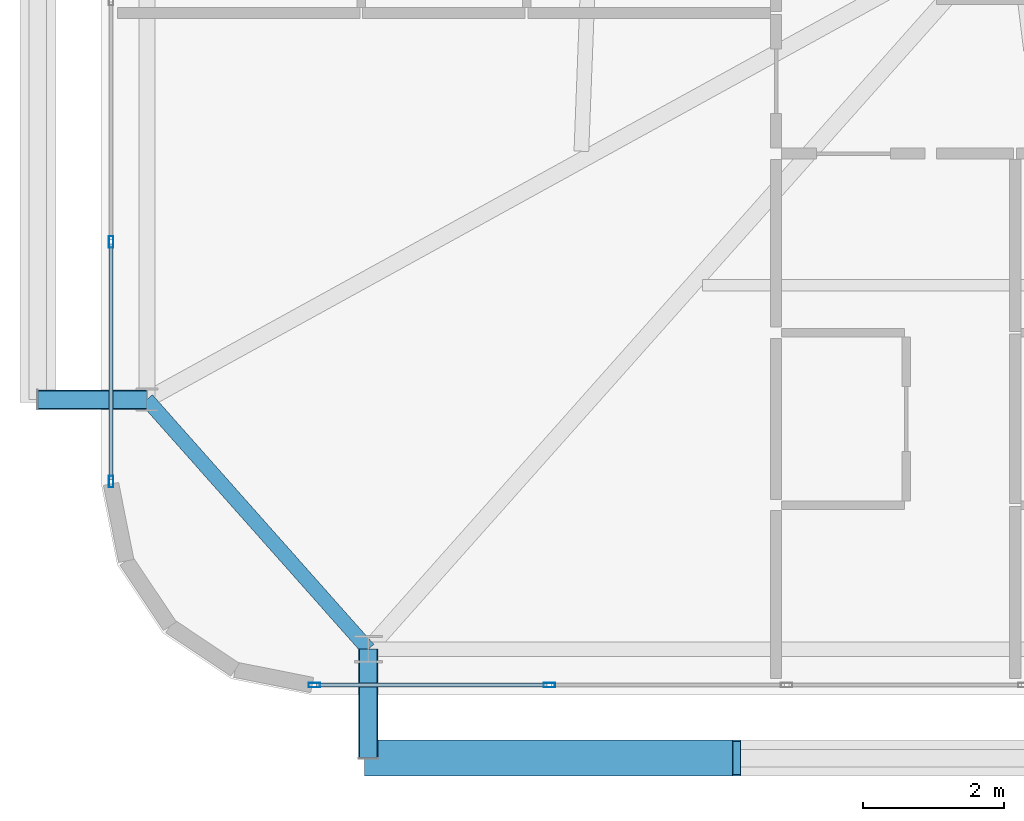
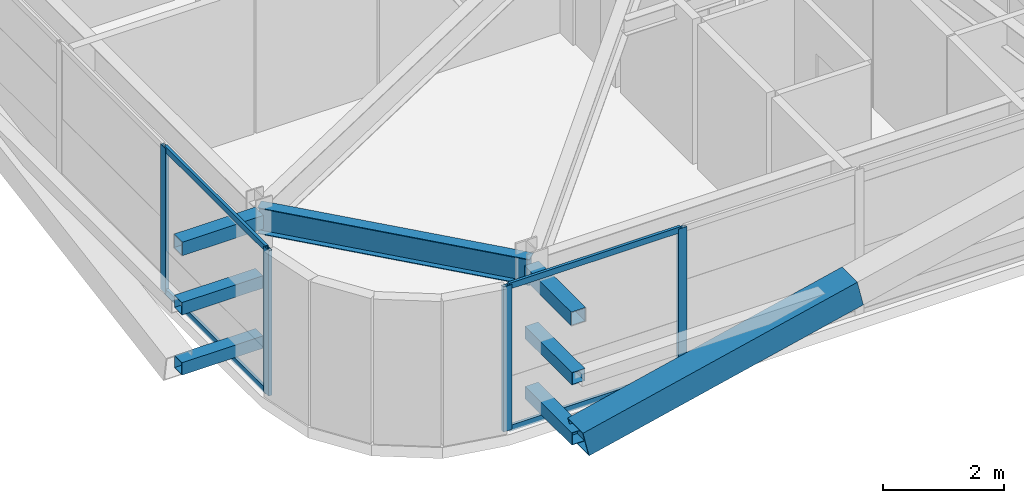
# One storey, part 5 of 59: 15 members, 1 beam, 2 elements without a shape of their own.
"""IFC4 building model written with IfcOpenShell, lengths in metres."""

import ifcopenshell
import ifcopenshell.guid

model = None  # the IFC model being written
_history = None  # IfcOwnerHistory: only IFC2X3 demands one
_inside = {}  # id of a spatial element -> (the spatial element, [elements in it])
_under = {}  # id of a project, library or spatial element -> (it, [spatial elements below it])
_declared = {}  # id of a project -> (the project, [libraries it declares])
_typed = {}  # id of a type object -> (the type object, [elements of that type])
_made_of = {}  # id of a material, layer set ... -> (it, [elements and type objects made of it])


def new_model(schema):
    """Start an empty IFC model of exactly this schema.

    Asked for "IFC4X3", IfcOpenShell would pick the latest addendum, in which some entities
    have other attributes; the version numbers below select the first issue.
    IFC2X3 requires an IfcOwnerHistory on every rooted entity: one is made here for all.
    """
    global model, _history
    if schema == "IFC4X3":
        model = ifcopenshell.file(schema_version=(4, 3, 0, 0))
    else:
        model = ifcopenshell.file(schema=schema)
    _inside.clear()
    _under.clear()
    _declared.clear()
    _typed.clear()
    _made_of.clear()
    _history = None
    if model.schema == "IFC2X3":
        org = make("IfcOrganization", Name="unknown")
        user = make(
            "IfcPersonAndOrganization",
            ThePerson=make("IfcPerson", FamilyName="unknown"),
            TheOrganization=org,
        )
        app = make(
            "IfcApplication",
            ApplicationDeveloper=org,
            Version="unknown",
            ApplicationFullName="unknown",
            ApplicationIdentifier="unknown",
        )
        _history = make(
            "IfcOwnerHistory",
            OwningUser=user,
            OwningApplication=app,
            ChangeAction="ADDED",
            CreationDate=0,
        )
    return model


def make(cls, **values):
    """One entity of the class cls with the attributes given. An attribute that is None is left unset."""
    return model.create_entity(
        cls, **{name: value for name, value in values.items() if value is not None}
    )


def rooted(cls, **values):
    """An entity with a GlobalId (a new one), such as an element, a storey or a relation."""
    return make(cls, GlobalId=ifcopenshell.guid.new(), OwnerHistory=_history, **values)


def si_unit(unit_type, name, prefix=None):
    """IfcSIUnit, for example si_unit("LENGTHUNIT", "METRE", prefix="MILLI")."""
    return make("IfcSIUnit", UnitType=unit_type, Prefix=prefix, Name=name)


def assignment(units):
    """IfcUnitAssignment: the units of a project."""
    return None if units is None else make("IfcUnitAssignment", Units=units)


def point(xyz):
    """IfcCartesianPoint."""
    return None if xyz is None else make("IfcCartesianPoint", Coordinates=xyz)


def direction(xyz):
    """IfcDirection."""
    return None if xyz is None else make("IfcDirection", DirectionRatios=xyz)


def frame(location, z_axis=None, x_axis=None):
    """IfcAxis2Placement3D, a coordinate frame: its origin and axes. An axis left out is left unset."""
    return make(
        "IfcAxis2Placement3D",
        Location=point(location),
        Axis=direction(z_axis),
        RefDirection=direction(x_axis),
    )


def frame_2d(location, x_axis=None):
    """IfcAxis2Placement2D, a coordinate frame in the plane: its origin and x axis."""
    return make(
        "IfcAxis2Placement2D", Location=point(location), RefDirection=direction(x_axis)
    )


def origin():
    """The frame at (0, 0, 0) with its axes left unset."""
    return frame((0.0, 0.0, 0.0))


def origin_2d():
    """The frame at (0, 0) in the plane with its x axis left unset."""
    return frame_2d((0.0, 0.0))


def place(relative_to, where):
    """IfcLocalPlacement: puts the frame where relative to a parent placement (None: the world)."""
    return make(
        "IfcLocalPlacement", PlacementRelTo=relative_to, RelativePlacement=where
    )


def context(
    kind, dimensions, precision=None, world=None, true_north=None, identifier=None
):
    """IfcGeometricRepresentationContext, for example the 3D "Model" context."""
    return make(
        "IfcGeometricRepresentationContext",
        ContextIdentifier=identifier,
        ContextType=kind,
        CoordinateSpaceDimension=dimensions,
        Precision=precision,
        WorldCoordinateSystem=world,
        TrueNorth=true_north,
    )


def subcontext(parent, identifier, kind, view, scale=None):
    """IfcGeometricRepresentationSubContext, for example "Body" below "Model"."""
    return make(
        "IfcGeometricRepresentationSubContext",
        ContextIdentifier=identifier,
        ContextType=kind,
        ParentContext=parent,
        TargetScale=scale,
        TargetView=view,
    )


def project(units=None, contexts=None):
    """IfcProject with its units and contexts."""
    return rooted(
        "IfcProject",
        Name="project",
        RepresentationContexts=contexts,
        UnitsInContext=assignment(units),
    )


def spatial(cls, under=None, at=None, **own):
    """A site, building, storey or space (cls), placed at a placement, below another one or the project."""
    s = rooted(cls, ObjectPlacement=at, **own)
    if under is not None:
        _under.setdefault(under.id(), (under, []))[1].append(s)
    return s


def profile(cls, at=None, kind="AREA", **sizes):
    """A parametric profile (cls). Its sizes go by their IFC names, for example OverallWidth=200.0."""
    return make(cls, ProfileType=kind, Position=at, **sizes)


def hollow_rectangle(**sizes):
    """IfcRectangleHollowProfileDef."""
    return profile("IfcRectangleHollowProfileDef", **sizes)


def i_section(**sizes):
    """IfcIShapeProfileDef."""
    return profile("IfcIShapeProfileDef", **sizes)


def extrude(swept, where, along, depth):
    """IfcExtrudedAreaSolid: the profile swept, set in the frame where, extruded along a direction by depth."""
    return make(
        "IfcExtrudedAreaSolid",
        SweptArea=swept,
        Position=where,
        ExtrudedDirection=direction(along),
        Depth=depth,
    )


def shape(context_of_items, identifier, shape_type, items):
    """IfcShapeRepresentation: the items that make up one representation, for example the "Body"."""
    return make(
        "IfcShapeRepresentation",
        ContextOfItems=context_of_items,
        RepresentationIdentifier=identifier,
        RepresentationType=shape_type,
        Items=items,
    )


def source(mapping_origin, context_of_items, identifier, shape_type, items):
    """IfcRepresentationMap: a shape defined once, which mapped items show again and again."""
    return make(
        "IfcRepresentationMap",
        MappingOrigin=mapping_origin,
        MappedRepresentation=shape(context_of_items, identifier, shape_type, items),
    )


def transform(
    local_origin,
    x_axis=None,
    y_axis=None,
    z_axis=None,
    scale=None,
    scale2=None,
    scale3=None,
    uniform=True,
):
    """IfcCartesianTransformationOperator3D, or its non-uniform kind. x_axis, y_axis, z_axis: its Axis1, 2, 3."""
    if uniform:
        return make(
            "IfcCartesianTransformationOperator3D",
            Axis1=direction(x_axis),
            Axis2=direction(y_axis),
            LocalOrigin=point(local_origin),
            Scale=scale,
            Axis3=direction(z_axis),
        )
    return make(
        "IfcCartesianTransformationOperator3DnonUniform",
        Axis1=direction(x_axis),
        Axis2=direction(y_axis),
        LocalOrigin=point(local_origin),
        Scale=scale,
        Axis3=direction(z_axis),
        Scale2=scale2,
        Scale3=scale3,
    )


def mapped(mapping_source, mapping_target):
    """IfcMappedItem: shows the shape of a source again, moved by a transform."""
    return make(
        "IfcMappedItem", MappingSource=mapping_source, MappingTarget=mapping_target
    )


def material(Name=None, Category=None):
    """IfcMaterial."""
    return make("IfcMaterial", Name=Name, Category=Category)


def layer(
    of_material, thickness, ventilated=None, Name=None, Category=None, Priority=None
):
    """IfcMaterialLayer: one layer of a wall or slab, of a material (None: an air gap)."""
    return make(
        "IfcMaterialLayer",
        Material=of_material,
        LayerThickness=thickness,
        IsVentilated=ventilated,
        Name=Name,
        Category=Category,
        Priority=Priority,
    )


def layer_set(layers, Name=None):
    """IfcMaterialLayerSet."""
    return make("IfcMaterialLayerSet", MaterialLayers=layers, LayerSetName=Name)


def material_profile(
    of_material, cross_section, Name=None, Category=None, Priority=None
):
    """IfcMaterialProfile: a cross section and its material."""
    return make(
        "IfcMaterialProfile",
        Name=Name,
        Material=of_material,
        Profile=cross_section,
        Priority=Priority,
        Category=Category,
    )


def profile_set(profiles, Name=None, composite=None):
    """IfcMaterialProfileSet."""
    return make(
        "IfcMaterialProfileSet",
        Name=Name,
        MaterialProfiles=profiles,
        CompositeProfile=composite,
    )


def made_of(thing, what):
    """Note that an element or type object is made of a material, layer set ...; save() writes the relation."""
    if what is not None:
        _made_of.setdefault(what.id(), (what, []))[1].append(thing)
    return thing


def type_object(cls, material=None, **own):
    """A type object (cls), such as IfcWallType, which elements share."""
    return made_of(rooted(cls, **own), material)


def element(
    cls,
    number,
    at=None,
    inside=None,
    cuts=None,
    type_object=None,
    material=None,
    context=None,
    identifier="Body",
    shape_type=None,
    held_by="IfcProductDefinitionShape",
    body=None,
    shapes=None,
    **own,
):
    """One element of the class cls, such as IfcWall. Its Tag is "e" and its number.

    at: its placement. inside: the storey or other place that contains it. cuts: it is an
    opening in that element (IfcRelVoidsElement). A single representation is given by context,
    identifier, shape_type and body (its items); several are given by shapes. held_by: the class
    of the entity that holds the representations. save() writes the other relations.
    """
    e = rooted(cls, Tag="e%d" % number, ObjectPlacement=at, **own)
    if body is not None:
        shapes = [shape(context, identifier, shape_type, body)]
    if shapes is not None:
        e.Representation = make(held_by, Representations=shapes)
    if inside is not None:
        _inside.setdefault(inside.id(), (inside, []))[1].append(e)
    if cuts is not None:
        rooted(
            "IfcRelVoidsElement", RelatingBuildingElement=cuts, RelatedOpeningElement=e
        )
    if type_object is not None:
        _typed.setdefault(type_object.id(), (type_object, []))[1].append(e)
    return made_of(e, material)


def aggregate(whole, parts):
    """IfcRelAggregates: a whole, such as a stair, and the parts it consists of."""
    return rooted("IfcRelAggregates", RelatingObject=whole, RelatedObjects=parts)


def save(model, path):
    """Write the relations noted so far, then the file.

    IfcRelAggregates (storeys below a building ...), IfcRelContainedInSpatialStructure (elements
    in a storey), IfcRelDefinesByType, IfcRelAssociatesMaterial and IfcRelDeclares: one each for
    every whole, place, type object, material and project.
    """
    for whole, parts in _under.values():
        aggregate(whole, parts)
    for where, things in _inside.values():
        rooted(
            "IfcRelContainedInSpatialStructure",
            RelatedElements=things,
            RelatingStructure=where,
        )
    for kind, things in _typed.values():
        rooted("IfcRelDefinesByType", RelatedObjects=things, RelatingType=kind)
    for what, things in _made_of.values():
        rooted("IfcRelAssociatesMaterial", RelatedObjects=things, RelatingMaterial=what)
    for by, libraries in _declared.values():
        rooted("IfcRelDeclares", RelatingContext=by, RelatedDefinitions=libraries)
    model.write(path)


model = new_model("IFC4")

# Units and contexts
model_context = context("Model", 3, precision=1e-05, world=origin(), true_north=direction((0.0, 1.0)))
body_context = subcontext(model_context, "Body", "Model", "MODEL_VIEW")
ifc_project = project(units=[si_unit("LENGTHUNIT", "METRE"), si_unit("AREAUNIT", "SQUARE_METRE"), si_unit("VOLUMEUNIT", "CUBIC_METRE"), si_unit("PLANEANGLEUNIT", "RADIAN"), si_unit("MASSUNIT", "GRAM", prefix="KILO")], contexts=[model_context])

# Site, building, storey
site_placement = place(None, origin())
site = spatial("IfcSite", under=ifc_project, at=site_placement, CompositionType="ELEMENT")
building_placement = place(site_placement, origin())
building = spatial("IfcBuilding", under=site, at=building_placement, Name="Taldren Reach Tower", CompositionType="ELEMENT")
storey_placement = place(building_placement, frame((0.0, 0.0, 23.10009765625)))
storey = spatial("IfcBuildingStorey", under=building, at=storey_placement, Name="L06", CompositionType="ELEMENT", Elevation=23.10009765625)

# Beam
ifc_material_1 = material(Name="Steel Gr 350 (350PLUS)", Category="steel")
ifc_material_profile_1 = material_profile(ifc_material_1, i_section(OverallWidth=0.208984375, OverallDepth=0.528076171875, WebThickness=0.009521484375, FlangeThickness=0.01318359375, at=origin_2d()), Name="530UB82.0")
ifc_profile_set_1 = profile_set([ifc_material_profile_1], Name="Steel Gr 350 (350PLUS)")
beam_type = type_object("IfcBeamType", Name="SP-UB530B", PredefinedType="SPANDREL", material=ifc_profile_set_1)
shared_shape_1 = source(origin(), body_context, "Body", "SweptSolid", [
    extrude(i_section(OverallWidth=0.208984375, OverallDepth=0.528076171875, WebThickness=0.009521484375, FlangeThickness=0.01318359375, at=origin_2d()), origin(), (0.0, 0.0, 1.0), 4.74609375),
])
beam_placement = place(storey_placement, frame((5.64990234375, 5.699951171875, 2.666015625), z_axis=(0.663721843779, -0.747979487747, 0.0), x_axis=(0.747979487747, 0.663721843779, 0.0)))
element("IfcBeam", 1, at=beam_placement, inside=storey, type_object=beam_type, Name="Perimeter spandrel B1 W1-S1 L06", PredefinedType="SPANDREL", context=body_context, shape_type="MappedRepresentation", body=[
    mapped(shared_shape_1, transform((0.0, 0.0, 0.0), scale=1.0)),
])

# Members
ifc_material_2 = material(Name="Steel Gr 450 (C450L0)", Category="steel")
ifc_material_profile_2 = material_profile(ifc_material_2, hollow_rectangle(XDim=0.27490234375, YDim=0.27490234375, WallThickness=0.00927734375, at=origin_2d()), Name="275x275x9.3SHS")
ifc_profile_set_2 = profile_set([ifc_material_profile_2], Name="Steel Gr 450 (C450L0)")
member_type_1 = type_object("IfcMemberType", Name="MB-TIE273", PredefinedType="STRUT", material=ifc_profile_set_2)
shared_shape_2 = source(origin(), body_context, "Body", "SweptSolid", [
    extrude(hollow_rectangle(XDim=0.27490234375, YDim=0.27490234375, WallThickness=0.00927734375, at=origin_2d()), origin(), (0.0, 0.0, 1.0), 1.5498046875),
])
for number, where, z_axis, x_axis, name in (
    (2, (8.800048828125, 2.14990234375, 2.64990234375), (0.0, -1.0, 0.0), (1.0, 0.0, 0.0), "Exoskeleton diaphragm tie strut B1-S1 L06"),
    (3, (5.64990234375, 5.699951171875, 2.64990234375), (-1.0, 0.0, 0.0), (0.0, -1.0, 0.0), "Exoskeleton diaphragm tie strut B1-W1 L06"),
):
    element("IfcMember", number, at=place(storey_placement, frame(where, z_axis=z_axis, x_axis=x_axis)), inside=storey, type_object=member_type_1, Name=name, PredefinedType="STRUT", context=body_context, shape_type="MappedRepresentation", body=[
        mapped(shared_shape_2, transform((0.0, 0.0, 0.0), scale=1.0)),
    ])
ifc_material_profile_3 = material_profile(ifc_material_2, hollow_rectangle(XDim=0.510009765625, YDim=0.510009765625, WallThickness=0.02001953125, at=origin_2d()), Name="510x510x20.0SHS")
ifc_profile_set_3 = profile_set([ifc_material_profile_3], Name="Steel Gr 450 (C450L0)")
member_type_2 = type_object("IfcMemberType", Name="MB-EXO508", PredefinedType="BRACE", material=ifc_profile_set_3)
shared_shape_3 = source(origin(), body_context, "Body", "SweptSolid", [
    extrude(hollow_rectangle(XDim=0.510009765625, YDim=0.510009765625, WallThickness=0.02001953125, at=origin_2d()), origin(), (0.0, 0.0, 1.0), 5.37890625),
])
member_1_placement = place(storey_placement, frame((8.800048828125, 0.60009765625, 0.219970703125), z_axis=(0.974161966843, 0.0, 0.225850531007), x_axis=(0.0, 1.0, 0.0)))
element("IfcMember", 4, at=member_1_placement, inside=storey, type_object=member_type_2, Name="Exoskeleton Diagrid Brace B1-S1 L06", PredefinedType="BRACE", context=body_context, shape_type="MappedRepresentation", body=[
    mapped(shared_shape_3, transform((0.0, 0.0, 0.0), scale=1.0)),
])
ifc_material_3 = material(Name="Steel Gr 350 (C350L0)", Category="steel")
ifc_material_profile_4 = material_profile(ifc_material_3, hollow_rectangle(XDim=0.25, YDim=0.25, WallThickness=0.010009765625, at=origin_2d()), Name="250x250x10.0SHS")
ifc_profile_set_4 = profile_set([ifc_material_profile_4], Name="Steel Gr 350 (C350L0)")
member_type_3 = type_object("IfcMemberType", Name="MB-POST250", PredefinedType="POST", material=ifc_profile_set_4)
shared_shape_4 = source(origin(), body_context, "Body", "SweptSolid", [
    extrude(hollow_rectangle(XDim=0.25, YDim=0.25, WallThickness=0.010009765625, at=origin_2d()), origin(), (0.0, 0.0, 1.0), 1.5498046875),
])
for number, where, z_axis, x_axis, name in (
    (5, (8.800048828125, 2.14990234375, 0.219970703125), (0.0, -1.0, 0.0), (1.0, 0.0, 0.0), "Exoskeleton base diaphragm tie strut B1-S1 L06"),
    (6, (5.64990234375, 5.699951171875, 0.219970703125), (-1.0, 0.0, 0.0), (0.0, -1.0, 0.0), "Exoskeleton base diaphragm tie strut B1-W1 L06"),
    (7, (8.800048828125, 2.14990234375, 1.434814453125), (0.0, -1.0, 0.0), (1.0, 0.0, 0.0), "Exoskeleton mid-tier diaphragm tie B1-S1 L06"),
    (8, (5.64990234375, 5.699951171875, 1.434814453125), (-1.0, 0.0, 0.0), (0.0, -1.0, 0.0), "Exoskeleton mid-tier diaphragm tie B1-W1 L06"),
):
    element("IfcMember", number, at=place(storey_placement, frame(where, z_axis=z_axis, x_axis=x_axis)), inside=storey, type_object=member_type_3, Name=name, PredefinedType="POST", context=body_context, shape_type="MappedRepresentation", body=[
        mapped(shared_shape_4, transform((0.0, 0.0, 0.0), scale=1.0)),
    ])

# Curtain wall, members
ifc_material_4 = material(Name="Aluminium and Low-E Glass Unitised System", Category="aluminium")
ifc_layer = layer(ifc_material_4, 0.159912109375)
ifc_layer_set = layer_set([ifc_layer], Name="Aluminium and Low-E Glass Unitised System")
curtain_wall_type = type_object("IfcCurtainWallType", Name="CW-SYS-2", PredefinedType="NOTDEFINED", material=ifc_layer_set)
curtain_wall_1_placement = place(storey_placement, origin())
curtain_wall_1 = element("IfcCurtainWall", 9, at=curtain_wall_1_placement, inside=storey, type_object=curtain_wall_type, Name="Unitised curtain wall CW-L06-S", PredefinedType="NOTDEFINED")
ifc_material_5 = material(Name="Anodised Aluminium 6063-T6", Category="aluminium")
ifc_material_profile_5 = material_profile(ifc_material_5, hollow_rectangle(XDim=0.06494140625, YDim=0.1650390625, WallThickness=0.00390625, at=origin_2d()), Name="ALU-165x65x4RHS")
ifc_profile_set_5 = profile_set([ifc_material_profile_5], Name="Anodised Aluminium 6063-T6")
member_type_4 = type_object("IfcMemberType", Name="CW-MUL-165", PredefinedType="MULLION", material=ifc_profile_set_5)
shared_shape_5 = source(origin(), body_context, "Body", "SweptSolid", [
    extrude(hollow_rectangle(XDim=0.06494140625, YDim=0.1650390625, WallThickness=0.00390625, at=origin_2d()), origin(), (0.0, 0.0, 1.0), 2.929931640625),
])
member_2_placement = place(storey_placement, frame((8.032470703125, 1.639892578125, 0.0), z_axis=(0.0, 0.0, 1.0), x_axis=(0.0, 1.0, 0.0)))
member_2 = element("IfcMember", 10, at=member_2_placement, type_object=member_type_4, Name="CW-2 mullion 1", PredefinedType="MULLION", context=body_context, shape_type="MappedRepresentation", body=[
    mapped(shared_shape_5, transform((0.0, 0.0, 0.0), scale=1.0)),
])
member_3_placement = place(storey_placement, frame((11.375, 1.639892578125, 0.0), z_axis=(0.0, 0.0, 1.0), x_axis=(0.0, 1.0, 0.0)))
member_3 = element("IfcMember", 11, at=member_3_placement, type_object=member_type_4, Name="CW-2 mullion 2", PredefinedType="MULLION", context=body_context, shape_type="MappedRepresentation", body=[
    mapped(shared_shape_5, transform((0.0, 0.0, 0.0), scale=1.0)),
])

curtain_wall_2_placement = place(storey_placement, origin())
curtain_wall_2 = element("IfcCurtainWall", 12, at=curtain_wall_2_placement, inside=storey, type_object=curtain_wall_type, Name="Unitised curtain wall CW-L06-W", PredefinedType="NOTDEFINED")
member_4_placement = place(storey_placement, frame((5.139892578125, 7.9443359375, 0.0), z_axis=(0.0, 0.0, 1.0), x_axis=(1.0, 0.0, 0.0)))
member_4 = element("IfcMember", 13, at=member_4_placement, type_object=member_type_4, Name="CW-2 mullion 9", PredefinedType="MULLION", context=body_context, shape_type="MappedRepresentation", body=[
    mapped(shared_shape_5, transform((0.0, 0.0, 0.0), scale=1.0)),
])
member_5_placement = place(storey_placement, frame((5.139892578125, 4.532470703125, 0.0), z_axis=(0.0, 0.0, 1.0), x_axis=(1.0, 0.0, 0.0)))
member_5 = element("IfcMember", 14, at=member_5_placement, type_object=member_type_4, Name="CW-2 mullion 10", PredefinedType="MULLION", context=body_context, shape_type="MappedRepresentation", body=[
    mapped(shared_shape_5, transform((0.0, 0.0, 0.0), scale=1.0)),
])

# Member
ifc_material_profile_6 = material_profile(ifc_material_5, hollow_rectangle(XDim=0.054931640625, YDim=0.1201171875, WallThickness=0.0029296875, at=origin_2d()), Name="ALU-120x55x3RHS")
ifc_profile_set_6 = profile_set([ifc_material_profile_6], Name="Anodised Aluminium 6063-T6")
member_type_5 = type_object("IfcMemberType", Name="CW-TRN-135", PredefinedType="USERDEFINED", material=ifc_profile_set_6)
shared_shape_6 = source(origin(), body_context, "Body", "SweptSolid", [
    extrude(hollow_rectangle(XDim=0.054931640625, YDim=0.1201171875, WallThickness=0.0029296875, at=origin_2d()), origin(), (0.0, 0.0, 1.0), 3.277587890625),
])
member_6_placement = place(storey_placement, frame((8.06494140625, 1.639892578125, 0.02734375), z_axis=(1.0, 0.0, 0.0), x_axis=(0.0, 1.0, 0.0)))
member_6 = element("IfcMember", 15, at=member_6_placement, type_object=member_type_5, Name="CW-2 transom 1.1", ObjectType="TRANSOM", PredefinedType="USERDEFINED", context=body_context, shape_type="MappedRepresentation", body=[
    mapped(shared_shape_6, transform((0.0, 0.0, 0.0), scale=1.0)),
])

member_7_placement = place(storey_placement, frame((8.06494140625, 1.639892578125, 2.90234375), z_axis=(1.0, 0.0, 0.0), x_axis=(0.0, 1.0, 0.0)))
member_7 = element("IfcMember", 16, at=member_7_placement, type_object=member_type_5, Name="CW-2 transom 1.2", ObjectType="TRANSOM", PredefinedType="USERDEFINED", context=body_context, shape_type="MappedRepresentation", body=[
    mapped(shared_shape_6, transform((0.0, 0.0, 0.0), scale=1.0)),
])

aggregate(curtain_wall_1, [member_2, member_3, member_6, member_7])

shared_shape_7 = source(origin(), body_context, "Body", "SweptSolid", [
    extrude(hollow_rectangle(XDim=0.054931640625, YDim=0.1201171875, WallThickness=0.0029296875, at=origin_2d()), origin(), (0.0, 0.0, 1.0), 3.346923828125),
])
member_8_placement = place(storey_placement, frame((5.139892578125, 7.911865234375, 0.02734375), z_axis=(0.0, -1.0, 0.0), x_axis=(1.0, 0.0, 0.0)))
member_8 = element("IfcMember", 17, at=member_8_placement, type_object=member_type_5, Name="CW-2 transom 9.1", ObjectType="TRANSOM", PredefinedType="USERDEFINED", context=body_context, shape_type="MappedRepresentation", body=[
    mapped(shared_shape_7, transform((0.0, 0.0, 0.0), scale=1.0)),
])

member_9_placement = place(storey_placement, frame((5.139892578125, 7.911865234375, 2.90234375), z_axis=(0.0, -1.0, 0.0), x_axis=(1.0, 0.0, 0.0)))
member_9 = element("IfcMember", 18, at=member_9_placement, type_object=member_type_5, Name="CW-2 transom 9.2", ObjectType="TRANSOM", PredefinedType="USERDEFINED", context=body_context, shape_type="MappedRepresentation", body=[
    mapped(shared_shape_7, transform((0.0, 0.0, 0.0), scale=1.0)),
])

aggregate(curtain_wall_2, [member_4, member_5, member_8, member_9])

save(model, "model.ifc")
